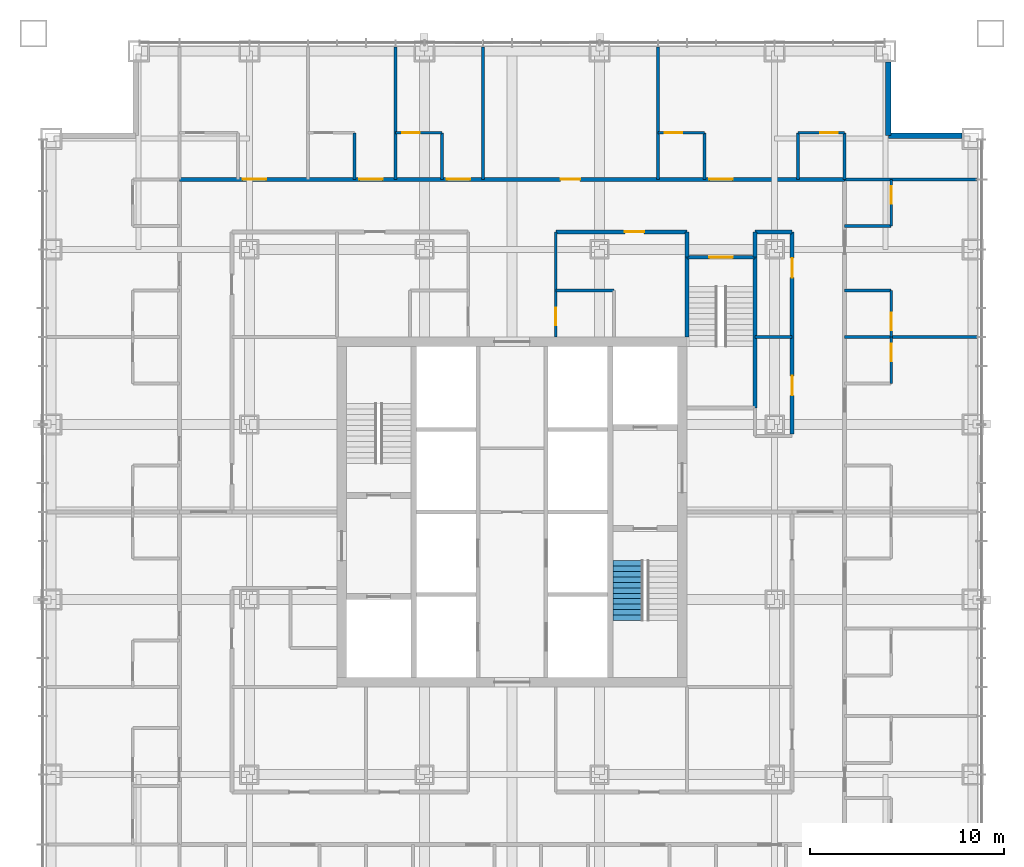
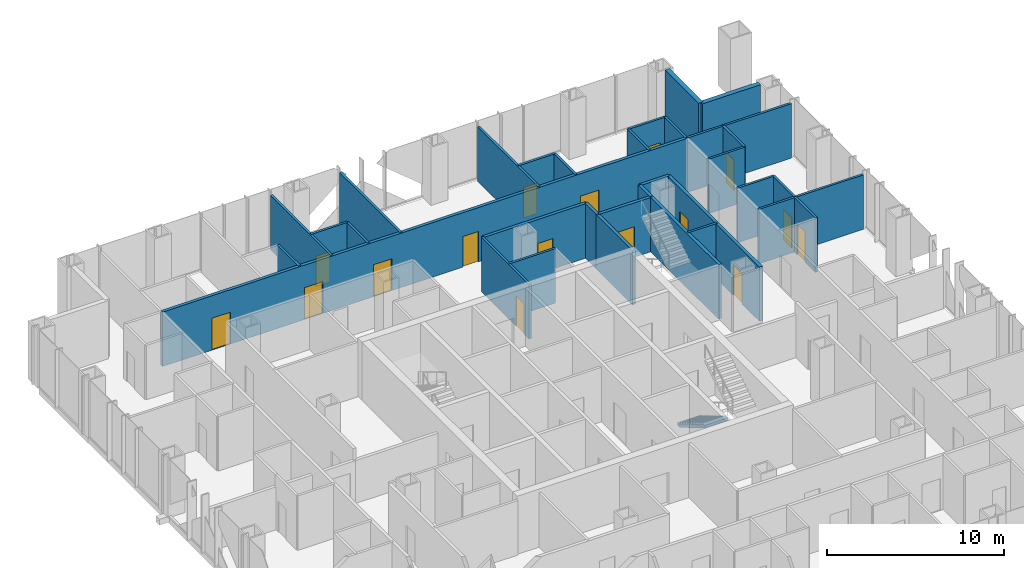
# One storey, part 12 of 16: 32 walls, 16 doors, 1 stair flight, 16 openings, 1 element without a shape of its own.
"""IFC4 building model written with IfcOpenShell, lengths in metres."""

from ifc_helpers import new_model, si_unit, direction, frame, frame_2d, origin, place, context, subcontext, project, spatial, polyline, rectangle, outline, extrude, material, layer, layer_set, type_object, element, fill, aggregate, save


model = new_model("IFC4")

# Units and contexts
model_context = context("Model", 3, precision=1e-05, world=origin(), true_north=direction((0.0, 1.0)))
body_context = subcontext(model_context, "Body", "Model", "MODEL_VIEW")
ifc_project = project(units=[si_unit("LENGTHUNIT", "METRE"), si_unit("AREAUNIT", "SQUARE_METRE"), si_unit("VOLUMEUNIT", "CUBIC_METRE"), si_unit("PLANEANGLEUNIT", "RADIAN"), si_unit("MASSUNIT", "GRAM", prefix="KILO")], contexts=[model_context])

# Site, building, storey
site_placement = place(None, origin())
site = spatial("IfcSite", under=ifc_project, at=site_placement, CompositionType="ELEMENT")
building_placement = place(site_placement, origin())
building = spatial("IfcBuilding", under=site, at=building_placement, Name="Malebo Sky Hospital", CompositionType="ELEMENT")
storey_placement = place(building_placement, frame((0.0, 0.0, 116.0)))
storey = spatial("IfcBuildingStorey", under=building, at=storey_placement, Name="L27", CompositionType="ELEMENT", Elevation=116.0)

# Wall, openings, doors
ifc_material_1 = material(Name="Gypsum board on steel studs", Category="steel")
ifc_layer_1 = layer(ifc_material_1, 0.199951171875)
ifc_layer_set_1 = layer_set([ifc_layer_1], Name="CORRIDOR WALL 200")
wall_type_1 = type_object("IfcWallType", Name="CORRIDOR WALL 200", PredefinedType="PARTITIONING", material=ifc_layer_set_1)
wall_1_placement = place(storey_placement, frame((42.89990234375, 79.10009765625, 0.0), z_axis=(0.0, 0.0, 1.0), x_axis=(1.0, 0.0, 0.0)))
wall_1 = element("IfcWall", 1, at=wall_1_placement, inside=storey, type_object=wall_type_1, Name="Corridor Wall 200 NCO", PredefinedType="PARTITIONING", context=body_context, shape_type="SweptSolid", body=[
    extrude(rectangle(XDim=34.2001953125, YDim=0.199951171875, at=frame_2d((17.10009765625, 0.0))), origin(), (0.0, 0.0, 1.0), 3.75),
])
opening_1_placement = place(wall_1_placement, frame((3.25, 0.0, 0.0)))
opening_1 = element("IfcOpeningElement", 2, at=opening_1_placement, cuts=wall_1, Name="Opening D01", PredefinedType="OPENING", context=body_context, shape_type="SweptSolid", body=[
    extrude(rectangle(XDim=1.199951171875, YDim=2.199951171875, at=frame_2d((0.60009765625, 1.10009765625))), frame((0.0, 0.10986328125, 0.0), z_axis=(0.0, -1.0, 0.0), x_axis=(1.0, 0.0, 0.0)), (0.0, 0.0, 1.0), 0.219970703125),
])
opening_2_placement = place(wall_1_placement, frame((9.25, 0.0, 0.0)))
opening_2 = element("IfcOpeningElement", 3, at=opening_2_placement, cuts=wall_1, Name="Opening D01", PredefinedType="OPENING", context=body_context, shape_type="SweptSolid", body=[
    extrude(rectangle(XDim=1.199951171875, YDim=2.199951171875, at=frame_2d((0.60009765625, 1.10009765625))), frame((0.0, 0.10986328125, 0.0), z_axis=(0.0, -1.0, 0.0), x_axis=(1.0, 0.0, 0.0)), (0.0, 0.0, 1.0), 0.219970703125),
])
opening_3_placement = place(wall_1_placement, frame((13.75, 0.0, 0.0)))
opening_3 = element("IfcOpeningElement", 4, at=opening_3_placement, cuts=wall_1, Name="Opening D01", PredefinedType="OPENING", context=body_context, shape_type="SweptSolid", body=[
    extrude(rectangle(XDim=1.199951171875, YDim=2.199951171875, at=frame_2d((0.60009765625, 1.10009765625))), frame((0.0, 0.10986328125, 0.0), z_axis=(0.0, -1.0, 0.0), x_axis=(1.0, 0.0, 0.0)), (0.0, 0.0, 1.0), 0.219970703125),
])
opening_4_placement = place(wall_1_placement, frame((19.60009765625, 0.0, 0.0)))
opening_4 = element("IfcOpeningElement", 5, at=opening_4_placement, cuts=wall_1, Name="Opening D03", PredefinedType="OPENING", context=body_context, shape_type="SweptSolid", body=[
    extrude(rectangle(XDim=1.0, YDim=2.10009765625, at=frame_2d((0.5, 1.050048828125))), frame((0.0, 0.10986328125, 0.0), z_axis=(0.0, -1.0, 0.0), x_axis=(1.0, 0.0, 0.0)), (0.0, 0.0, 1.0), 0.219970703125),
])
opening_5_placement = place(wall_1_placement, frame((27.25, 0.0, 0.0)))
opening_5 = element("IfcOpeningElement", 6, at=opening_5_placement, cuts=wall_1, Name="Opening D01", PredefinedType="OPENING", context=body_context, shape_type="SweptSolid", body=[
    extrude(rectangle(XDim=1.199951171875, YDim=2.199951171875, at=frame_2d((0.60009765625, 1.10009765625))), frame((0.0, 0.10986328125, 0.0), z_axis=(0.0, -1.0, 0.0), x_axis=(1.0, 0.0, 0.0)), (0.0, 0.0, 1.0), 0.219970703125),
])
ifc_material_2 = material(Name="Hardwood-faced door leaf in steel frame", Category="steel")
door_type_1 = type_object("IfcDoorType", Name="BED DOOR 1200", OperationType="SINGLE_SWING_LEFT", PredefinedType="DOOR", material=ifc_material_2)
door_1_placement = place(opening_1_placement, origin())
door_1 = element("IfcDoor", 7, at=door_1_placement, inside=storey, type_object=door_type_1, Name="Two-bed room door", OperationType="SINGLE_SWING_LEFT", OverallHeight=2.199951171875, OverallWidth=1.199951171875, PredefinedType="DOOR", context=body_context, shape_type="SweptSolid", body=[
    extrude(rectangle(XDim=1.199951171875, YDim=2.199951171875, at=frame_2d((0.60009765625, 1.10009765625))), frame((0.0, 0.02490234375, 0.0), z_axis=(0.0, -1.0, 0.0), x_axis=(1.0, 0.0, 0.0)), (0.0, 0.0, 1.0), 0.050048828125),
])
fill(opening_1, door_1)
door_2_placement = place(opening_2_placement, origin())
door_2 = element("IfcDoor", 8, at=door_2_placement, inside=storey, type_object=door_type_1, Name="Single bed room door", OperationType="SINGLE_SWING_LEFT", OverallHeight=2.199951171875, OverallWidth=1.199951171875, PredefinedType="DOOR", context=body_context, shape_type="SweptSolid", body=[
    extrude(rectangle(XDim=1.199951171875, YDim=2.199951171875, at=frame_2d((0.60009765625, 1.10009765625))), frame((0.0, 0.02490234375, 0.0), z_axis=(0.0, -1.0, 0.0), x_axis=(1.0, 0.0, 0.0)), (0.0, 0.0, 1.0), 0.050048828125),
])
fill(opening_2, door_2)
door_3_placement = place(opening_3_placement, origin())
door_3 = element("IfcDoor", 9, at=door_3_placement, inside=storey, type_object=door_type_1, Name="Single bed room door", OperationType="SINGLE_SWING_LEFT", OverallHeight=2.199951171875, OverallWidth=1.199951171875, PredefinedType="DOOR", context=body_context, shape_type="SweptSolid", body=[
    extrude(rectangle(XDim=1.199951171875, YDim=2.199951171875, at=frame_2d((0.60009765625, 1.10009765625))), frame((0.0, 0.02490234375, 0.0), z_axis=(0.0, -1.0, 0.0), x_axis=(1.0, 0.0, 0.0)), (0.0, 0.0, 1.0), 0.050048828125),
])
fill(opening_3, door_3)
door_4_placement = place(opening_5_placement, origin())
door_4 = element("IfcDoor", 10, at=door_4_placement, inside=storey, type_object=door_type_1, Name="Four-bed bay door", OperationType="SINGLE_SWING_LEFT", OverallHeight=2.199951171875, OverallWidth=1.199951171875, PredefinedType="DOOR", context=body_context, shape_type="SweptSolid", body=[
    extrude(rectangle(XDim=1.199951171875, YDim=2.199951171875, at=frame_2d((0.60009765625, 1.10009765625))), frame((0.0, 0.02490234375, 0.0), z_axis=(0.0, -1.0, 0.0), x_axis=(1.0, 0.0, 0.0)), (0.0, 0.0, 1.0), 0.050048828125),
])
fill(opening_5, door_4)
door_type_2 = type_object("IfcDoorType", Name="ROOM DOOR 1000", OperationType="SINGLE_SWING_LEFT", PredefinedType="DOOR", material=ifc_material_2)
door_5_placement = place(opening_4_placement, origin())
door_5 = element("IfcDoor", 11, at=door_5_placement, inside=storey, type_object=door_type_2, Name="Patient day room door", OperationType="SINGLE_SWING_LEFT", OverallHeight=2.10009765625, OverallWidth=1.0, PredefinedType="DOOR", context=body_context, shape_type="SweptSolid", body=[
    extrude(rectangle(XDim=1.0, YDim=2.10009765625, at=frame_2d((0.5, 1.050048828125))), frame((0.0, 0.02490234375, 0.0), z_axis=(0.0, -1.0, 0.0), x_axis=(1.0, 0.0, 0.0)), (0.0, 0.0, 1.0), 0.050048828125),
])
fill(opening_4, door_5)

# Wall, opening, door
wall_2_placement = place(storey_placement, frame((62.25, 76.39990234375, 0.0), z_axis=(0.0, 0.0, 1.0), x_axis=(1.0, 0.0, 0.0)))
wall_2 = element("IfcWall", 12, at=wall_2_placement, inside=storey, type_object=wall_type_1, Name="Corridor Wall 200 NCI2", PredefinedType="PARTITIONING", context=body_context, shape_type="SweptSolid", body=[
    extrude(rectangle(XDim=6.75, YDim=0.199951171875, at=frame_2d((3.375, 0.0))), origin(), (0.0, 0.0, 1.0), 3.75),
])
opening_6_placement = place(wall_2_placement, frame((3.550048828125, 0.0, 0.0)))
opening_6 = element("IfcOpeningElement", 13, at=opening_6_placement, cuts=wall_2, Name="Opening D03", PredefinedType="OPENING", context=body_context, shape_type="SweptSolid", body=[
    extrude(rectangle(XDim=1.0, YDim=2.10009765625, at=frame_2d((0.5, 1.050048828125))), frame((0.0, 0.10986328125, 0.0), z_axis=(0.0, -1.0, 0.0), x_axis=(1.0, 0.0, 0.0)), (0.0, 0.0, 1.0), 0.219970703125),
])
door_6_placement = place(opening_6_placement, origin())
door_6 = element("IfcDoor", 14, at=door_6_placement, inside=storey, type_object=door_type_2, Name="Medication room door", OperationType="SINGLE_SWING_RIGHT", OverallHeight=2.10009765625, OverallWidth=1.0, PredefinedType="DOOR", context=body_context, shape_type="SweptSolid", body=[
    extrude(rectangle(XDim=1.0, YDim=2.10009765625, at=frame_2d((0.5, 1.050048828125))), frame((0.0, 0.02490234375, 0.0), z_axis=(0.0, -1.0, 0.0), x_axis=(1.0, 0.0, 0.0)), (0.0, 0.0, 1.0), 0.050048828125),
])
fill(opening_6, door_6)

# Wall
wall_3_placement = place(storey_placement, frame((72.5, 76.39990234375, 0.0), z_axis=(0.0, 0.0, 1.0), x_axis=(1.0, 0.0, 0.0)))
element("IfcWall", 15, at=wall_3_placement, inside=storey, type_object=wall_type_1, Name="Corridor Wall 200 NCI2/2", PredefinedType="PARTITIONING", context=body_context, shape_type="SweptSolid", body=[
    extrude(rectangle(XDim=1.89990234375, YDim=0.199951171875, at=frame_2d((0.949951171875, 0.0))), origin(), (0.0, 0.0, 1.0), 3.75),
])

# Wall, openings, doors
wall_4_placement = place(storey_placement, frame((74.39990234375, 76.39990234375, 0.0), z_axis=(0.0, 0.0, 1.0), x_axis=(0.0, -1.0, 0.0)))
wall_4 = element("IfcWall", 16, at=wall_4_placement, inside=storey, type_object=wall_type_1, Name="Corridor Wall 200 ECI1", PredefinedType="PARTITIONING", context=body_context, shape_type="SweptSolid", body=[
    extrude(rectangle(XDim=10.39990234375, YDim=0.199951171875, at=frame_2d((5.199951171875, 0.0))), origin(), (0.0, 0.0, 1.0), 3.75),
])
opening_7_placement = place(wall_4_placement, frame((1.35009765625, 0.0, 0.0)))
opening_7 = element("IfcOpeningElement", 17, at=opening_7_placement, cuts=wall_4, Name="Opening D03", PredefinedType="OPENING", context=body_context, shape_type="SweptSolid", body=[
    extrude(rectangle(XDim=1.0, YDim=2.10009765625, at=frame_2d((0.5, 1.050048828125))), frame((0.0, 0.10986328125, 0.0), z_axis=(0.0, -1.0, 0.0), x_axis=(1.0, 0.0, 0.0)), (0.0, 0.0, 1.0), 0.219970703125),
])
opening_8_placement = place(wall_4_placement, frame((7.39990234375, 0.0, 0.0)))
opening_8 = element("IfcOpeningElement", 18, at=opening_8_placement, cuts=wall_4, Name="Opening D03", PredefinedType="OPENING", context=body_context, shape_type="SweptSolid", body=[
    extrude(rectangle(XDim=1.0, YDim=2.10009765625, at=frame_2d((0.5, 1.050048828125))), frame((0.0, 0.10986328125, 0.0), z_axis=(0.0, -1.0, 0.0), x_axis=(1.0, 0.0, 0.0)), (0.0, 0.0, 1.0), 0.219970703125),
])
door_7_placement = place(opening_7_placement, origin())
door_7 = element("IfcDoor", 19, at=door_7_placement, inside=storey, type_object=door_type_2, Name="Treatment room door", OperationType="SINGLE_SWING_LEFT", OverallHeight=2.10009765625, OverallWidth=1.0, PredefinedType="DOOR", context=body_context, shape_type="SweptSolid", body=[
    extrude(rectangle(XDim=1.0, YDim=2.10009765625, at=frame_2d((0.5, 1.050048828125))), frame((0.0, 0.02490234375, 0.0), z_axis=(0.0, -1.0, 0.0), x_axis=(1.0, 0.0, 0.0)), (0.0, 0.0, 1.0), 0.050048828125),
])
fill(opening_7, door_7)
door_8_placement = place(opening_8_placement, origin())
door_8 = element("IfcDoor", 20, at=door_8_placement, inside=storey, type_object=door_type_2, Name="Equipment store door", OperationType="SINGLE_SWING_LEFT", OverallHeight=2.10009765625, OverallWidth=1.0, PredefinedType="DOOR", context=body_context, shape_type="SweptSolid", body=[
    extrude(rectangle(XDim=1.0, YDim=2.10009765625, at=frame_2d((0.5, 1.050048828125))), frame((0.0, 0.02490234375, 0.0), z_axis=(0.0, -1.0, 0.0), x_axis=(1.0, 0.0, 0.0)), (0.0, 0.0, 1.0), 0.050048828125),
])
fill(opening_8, door_8)

# Walls
for number, where, z_axis, x_axis, name in (
    (21, (69.0, 75.10009765625, 0.0), (0.0, 0.0, 1.0), (0.0, 1.0, 0.0), "Corridor Wall 200 ST3AW"),
    (22, (72.5, 75.10009765625, 0.0), (0.0, 0.0, 1.0), (0.0, 1.0, 0.0), "Corridor Wall 200 ST3AE"),
):
    element("IfcWall", number, at=place(storey_placement, frame(where, z_axis=z_axis, x_axis=x_axis)), inside=storey, type_object=wall_type_1, Name=name, PredefinedType="PARTITIONING", context=body_context, shape_type="SweptSolid", body=[
        extrude(rectangle(XDim=1.2998046875, YDim=0.199951171875, at=frame_2d((0.64990234375, 0.0))), origin(), (0.0, 0.0, 1.0), 3.75),
    ])
ifc_material_3 = material(Name="Anodised aluminium rainscreen on steel framing", Category="steel")
ifc_layer_2 = layer(ifc_material_3, 0.300048828125)
ifc_layer_set_2 = layer_set([ifc_layer_2], Name="NOTCH RAINSCREEN WALL 300")
wall_type_2 = type_object("IfcWallType", Name="NOTCH RAINSCREEN WALL 300", PredefinedType="ELEMENTEDWALL", material=ifc_layer_set_2)
for number, where, z_axis, x_axis, name in (
    (23, (79.35009765625, 85.14990234375, 0.0), (0.0, 0.0, 1.0), (0.0, -1.0, 0.0), "Notch rainscreen wall N1 L27"),
    (24, (79.35009765625, 81.35009765625, 0.0), (0.0, 0.0, 1.0), (1.0, 0.0, 0.0), "Notch rainscreen wall N2 L27"),
):
    element("IfcWall", number, at=place(storey_placement, frame(where, z_axis=z_axis, x_axis=x_axis)), inside=storey, type_object=wall_type_2, Name=name, PredefinedType="ELEMENTEDWALL", context=body_context, shape_type="SweptSolid", body=[
        extrude(rectangle(XDim=3.7998046875, YDim=0.300048828125, at=frame_2d((1.89990234375, 0.0))), origin(), (0.0, 0.0, 1.0), 4.0),
    ])
ifc_layer_3 = layer(ifc_material_1, 0.14990234375)
ifc_layer_set_3 = layer_set([ifc_layer_3], Name="PARTITION 150")
wall_type_3 = type_object("IfcWallType", Name="PARTITION 150", PredefinedType="PARTITIONING", material=ifc_layer_set_3)
for number, where, z_axis, x_axis, name in (
    (25, (54.0, 79.10009765625, 0.0), (0.0, 0.0, 1.0), (0.0, 1.0, 0.0), "Partition 150 NP-6.0"),
    (26, (58.5, 79.10009765625, 0.0), (0.0, 0.0, 1.0), (0.0, 1.0, 0.0), "Partition 150 NP-1.5"),
    (27, (67.5, 79.10009765625, 0.0), (0.0, 0.0, 1.0), (0.0, 1.0, 0.0), "Partition 150 NP+7.5"),
):
    element("IfcWall", number, at=place(storey_placement, frame(where, z_axis=z_axis, x_axis=x_axis)), inside=storey, type_object=wall_type_3, Name=name, PredefinedType="PARTITIONING", context=body_context, shape_type="SweptSolid", body=[
        extrude(rectangle(XDim=6.809814453125, YDim=0.14990234375, at=frame_2d((3.40478515625, 0.0))), origin(), (0.0, 0.0, 1.0), 3.75),
    ])
wall_5_placement = place(storey_placement, frame((51.89990234375, 79.10009765625, 0.0), z_axis=(0.0, 0.0, 1.0), x_axis=(0.0, 1.0, 0.0)))
element("IfcWall", 28, at=wall_5_placement, inside=storey, type_object=wall_type_3, Name="Partition 150 NE1S", PredefinedType="PARTITIONING", context=body_context, shape_type="SweptSolid", body=[
    extrude(rectangle(XDim=2.39990234375, YDim=0.14990234375, at=frame_2d((1.199951171875, 0.0))), origin(), (0.0, 0.0, 1.0), 3.75),
])

# Wall, opening, door
wall_6_placement = place(storey_placement, frame((54.0, 81.5, 0.0), z_axis=(0.0, 0.0, 1.0), x_axis=(1.0, 0.0, 0.0)))
wall_6 = element("IfcWall", 29, at=wall_6_placement, inside=storey, type_object=wall_type_3, Name="Partition 150 NE2F", PredefinedType="PARTITIONING", context=body_context, shape_type="SweptSolid", body=[
    extrude(rectangle(XDim=2.39990234375, YDim=0.14990234375, at=frame_2d((1.199951171875, 0.0))), origin(), (0.0, 0.0, 1.0), 3.75),
])
opening_9_placement = place(wall_6_placement, frame((0.35009765625, 0.0, 0.0)))
opening_9 = element("IfcOpeningElement", 30, at=opening_9_placement, cuts=wall_6, Name="Opening D02", PredefinedType="OPENING", context=body_context, shape_type="SweptSolid", body=[
    extrude(rectangle(XDim=0.89990234375, YDim=2.10009765625, at=frame_2d((0.449951171875, 1.050048828125))), frame((0.0, 0.0849609375, 0.0), z_axis=(0.0, -1.0, 0.0), x_axis=(1.0, 0.0, 0.0)), (0.0, 0.0, 1.0), 0.169921875),
])
door_type_3 = type_object("IfcDoorType", Name="EN-SUITE DOOR 900", OperationType="SINGLE_SWING_LEFT", PredefinedType="DOOR", material=ifc_material_2)
door_9_placement = place(opening_9_placement, origin())
door_9 = element("IfcDoor", 31, at=door_9_placement, inside=storey, type_object=door_type_3, Name="En-suite door", OperationType="SINGLE_SWING_LEFT", OverallHeight=2.10009765625, OverallWidth=0.89990234375, PredefinedType="DOOR", context=body_context, shape_type="SweptSolid", body=[
    extrude(rectangle(XDim=0.89990234375, YDim=2.10009765625, at=frame_2d((0.449951171875, 1.050048828125))), frame((0.0, 0.02490234375, 0.0), z_axis=(0.0, -1.0, 0.0), x_axis=(1.0, 0.0, 0.0)), (0.0, 0.0, 1.0), 0.050048828125),
])
fill(opening_9, door_9)

# Wall
wall_7_placement = place(storey_placement, frame((56.39990234375, 79.10009765625, 0.0), z_axis=(0.0, 0.0, 1.0), x_axis=(0.0, 1.0, 0.0)))
element("IfcWall", 32, at=wall_7_placement, inside=storey, type_object=wall_type_3, Name="Partition 150 NE2S", PredefinedType="PARTITIONING", context=body_context, shape_type="SweptSolid", body=[
    extrude(rectangle(XDim=2.39990234375, YDim=0.14990234375, at=frame_2d((1.199951171875, 0.0))), origin(), (0.0, 0.0, 1.0), 3.75),
])

# Wall, opening, door
wall_8_placement = place(storey_placement, frame((67.5, 81.5, 0.0), z_axis=(0.0, 0.0, 1.0), x_axis=(1.0, 0.0, 0.0)))
wall_8 = element("IfcWall", 33, at=wall_8_placement, inside=storey, type_object=wall_type_3, Name="Partition 150 NE4F", PredefinedType="PARTITIONING", context=body_context, shape_type="SweptSolid", body=[
    extrude(rectangle(XDim=2.39990234375, YDim=0.14990234375, at=frame_2d((1.199951171875, 0.0))), origin(), (0.0, 0.0, 1.0), 3.75),
])
opening_10_placement = place(wall_8_placement, frame((0.35009765625, 0.0, 0.0)))
opening_10 = element("IfcOpeningElement", 34, at=opening_10_placement, cuts=wall_8, Name="Opening D02", PredefinedType="OPENING", context=body_context, shape_type="SweptSolid", body=[
    extrude(rectangle(XDim=0.89990234375, YDim=2.10009765625, at=frame_2d((0.449951171875, 1.050048828125))), frame((0.0, 0.0849609375, 0.0), z_axis=(0.0, -1.0, 0.0), x_axis=(1.0, 0.0, 0.0)), (0.0, 0.0, 1.0), 0.169921875),
])
door_10_placement = place(opening_10_placement, origin())
door_10 = element("IfcDoor", 35, at=door_10_placement, inside=storey, type_object=door_type_3, Name="En-suite door", OperationType="SINGLE_SWING_LEFT", OverallHeight=2.10009765625, OverallWidth=0.89990234375, PredefinedType="DOOR", context=body_context, shape_type="SweptSolid", body=[
    extrude(rectangle(XDim=0.89990234375, YDim=2.10009765625, at=frame_2d((0.449951171875, 1.050048828125))), frame((0.0, 0.02490234375, 0.0), z_axis=(0.0, -1.0, 0.0), x_axis=(1.0, 0.0, 0.0)), (0.0, 0.0, 1.0), 0.050048828125),
])
fill(opening_10, door_10)

# Wall
wall_9_placement = place(storey_placement, frame((69.89990234375, 79.10009765625, 0.0), z_axis=(0.0, 0.0, 1.0), x_axis=(0.0, 1.0, 0.0)))
element("IfcWall", 36, at=wall_9_placement, inside=storey, type_object=wall_type_3, Name="Partition 150 NE4S", PredefinedType="PARTITIONING", context=body_context, shape_type="SweptSolid", body=[
    extrude(rectangle(XDim=2.39990234375, YDim=0.14990234375, at=frame_2d((1.199951171875, 0.0))), origin(), (0.0, 0.0, 1.0), 3.75),
])

# Wall, opening, door
wall_10_placement = place(storey_placement, frame((74.699951171875, 81.5, 0.0), z_axis=(0.0, 0.0, 1.0), x_axis=(1.0, 0.0, 0.0)))
wall_10 = element("IfcWall", 37, at=wall_10_placement, inside=storey, type_object=wall_type_3, Name="Partition 150 NG4F", PredefinedType="PARTITIONING", context=body_context, shape_type="SweptSolid", body=[
    extrude(rectangle(XDim=2.400146484375, YDim=0.14990234375, at=frame_2d((1.2001953125, 0.0))), origin(), (0.0, 0.0, 1.0), 3.75),
])
opening_11_placement = place(wall_10_placement, frame((1.14990234375, 0.0, 0.0)))
opening_11 = element("IfcOpeningElement", 38, at=opening_11_placement, cuts=wall_10, Name="Opening D02", PredefinedType="OPENING", context=body_context, shape_type="SweptSolid", body=[
    extrude(rectangle(XDim=0.89990234375, YDim=2.10009765625, at=frame_2d((0.449951171875, 1.050048828125))), frame((0.0, 0.0849609375, 0.0), z_axis=(0.0, -1.0, 0.0), x_axis=(1.0, 0.0, 0.0)), (0.0, 0.0, 1.0), 0.169921875),
])
door_11_placement = place(opening_11_placement, origin())
door_11 = element("IfcDoor", 39, at=door_11_placement, inside=storey, type_object=door_type_3, Name="En-suite door", OperationType="SINGLE_SWING_RIGHT", OverallHeight=2.10009765625, OverallWidth=0.89990234375, PredefinedType="DOOR", context=body_context, shape_type="SweptSolid", body=[
    extrude(rectangle(XDim=0.89990234375, YDim=2.10009765625, at=frame_2d((0.449951171875, 1.050048828125))), frame((0.0, 0.02490234375, 0.0), z_axis=(0.0, -1.0, 0.0), x_axis=(1.0, 0.0, 0.0)), (0.0, 0.0, 1.0), 0.050048828125),
])
fill(opening_11, door_11)

# Walls
for number, where, z_axis, x_axis, name in (
    (40, (74.699951171875, 79.10009765625, 0.0), (0.0, 0.0, 1.0), (0.0, 1.0, 0.0), "Partition 150 NG4S"),
    (41, (77.10009765625, 79.10009765625, 0.0), (0.0, 0.0, 1.0), (0.0, 1.0, 0.0), "Partition 150 NEZ"),
):
    element("IfcWall", number, at=place(storey_placement, frame(where, z_axis=z_axis, x_axis=x_axis)), inside=storey, type_object=wall_type_3, Name=name, PredefinedType="PARTITIONING", context=body_context, shape_type="SweptSolid", body=[
        extrude(rectangle(XDim=2.39990234375, YDim=0.14990234375, at=frame_2d((1.199951171875, 0.0))), origin(), (0.0, 0.0, 1.0), 3.75),
    ])

# Wall, opening, door
wall_11_placement = place(storey_placement, frame((62.25, 71.0, 0.0), z_axis=(0.0, 0.0, 1.0), x_axis=(0.0, 1.0, 0.0)))
wall_11 = element("IfcWall", 42, at=wall_11_placement, inside=storey, type_object=wall_type_3, Name="Partition 150 NSPB", PredefinedType="PARTITIONING", context=body_context, shape_type="SweptSolid", body=[
    extrude(rectangle(XDim=5.39990234375, YDim=0.14990234375, at=frame_2d((2.699951171875, 0.0))), origin(), (0.0, 0.0, 1.0), 3.75),
])
opening_12_placement = place(wall_11_placement, frame((0.60009765625, 0.0, 0.0)))
opening_12 = element("IfcOpeningElement", 43, at=opening_12_placement, cuts=wall_11, Name="Opening D04", PredefinedType="OPENING", context=body_context, shape_type="SweptSolid", body=[
    extrude(rectangle(XDim=0.89990234375, YDim=2.10009765625, at=frame_2d((0.449951171875, 1.050048828125))), frame((0.0, 0.0849609375, 0.0), z_axis=(0.0, -1.0, 0.0), x_axis=(1.0, 0.0, 0.0)), (0.0, 0.0, 1.0), 0.169921875),
])
door_type_4 = type_object("IfcDoorType", Name="ROOM DOOR 900", OperationType="SINGLE_SWING_LEFT", PredefinedType="DOOR", material=ifc_material_2)
door_12_placement = place(opening_12_placement, origin())
door_12 = element("IfcDoor", 44, at=door_12_placement, inside=storey, type_object=door_type_4, Name="Accessible WC door", OperationType="SINGLE_SWING_LEFT", OverallHeight=2.10009765625, OverallWidth=0.89990234375, PredefinedType="DOOR", context=body_context, shape_type="SweptSolid", body=[
    extrude(rectangle(XDim=0.89990234375, YDim=2.10009765625, at=frame_2d((0.449951171875, 1.050048828125))), frame((0.0, 0.02490234375, 0.0), z_axis=(0.0, -1.0, 0.0), x_axis=(1.0, 0.0, 0.0)), (0.0, 0.0, 1.0), 0.050048828125),
])
fill(opening_12, door_12)

# Walls
wall_12_placement = place(storey_placement, frame((62.25, 73.39990234375, 0.0), z_axis=(0.0, 0.0, 1.0), x_axis=(1.0, 0.0, 0.0)))
element("IfcWall", 45, at=wall_12_placement, inside=storey, type_object=wall_type_3, Name="Partition 150 NSX1", PredefinedType="PARTITIONING", context=body_context, shape_type="SweptSolid", body=[
    extrude(rectangle(XDim=3.0, YDim=0.14990234375, at=frame_2d((1.5, 0.0))), origin(), (0.0, 0.0, 1.0), 3.75),
])
for number, where, z_axis, x_axis, name in (
    (46, (77.10009765625, 71.0, 0.0), (0.0, 0.0, 1.0), (1.0, 0.0, 0.0), "Partition 150 EP-9.0"),
    (47, (77.10009765625, 79.10009765625, 0.0), (0.0, 0.0, 1.0), (1.0, 0.0, 0.0), "Partition 150 EP0"),
):
    element("IfcWall", number, at=place(storey_placement, frame(where, z_axis=z_axis, x_axis=x_axis)), inside=storey, type_object=wall_type_3, Name=name, PredefinedType="PARTITIONING", context=body_context, shape_type="SweptSolid", body=[
        extrude(rectangle(XDim=6.809814453125, YDim=0.14990234375, at=frame_2d((3.40478515625, 0.0))), origin(), (0.0, 0.0, 1.0), 3.75),
    ])

# Wall, opening, door
wall_13_placement = place(storey_placement, frame((79.5, 79.10009765625, 0.0), z_axis=(0.0, 0.0, 1.0), x_axis=(0.0, -1.0, 0.0)))
wall_13 = element("IfcWall", 48, at=wall_13_placement, inside=storey, type_object=wall_type_3, Name="Partition 150 EE0F", PredefinedType="PARTITIONING", context=body_context, shape_type="SweptSolid", body=[
    extrude(rectangle(XDim=2.400146484375, YDim=0.14990234375, at=frame_2d((1.2001953125, 0.0))), origin(), (0.0, 0.0, 1.0), 3.75),
])
opening_13_placement = place(wall_13_placement, frame((0.35009765625, 0.0, 0.0)))
opening_13 = element("IfcOpeningElement", 49, at=opening_13_placement, cuts=wall_13, Name="Opening D02", PredefinedType="OPENING", context=body_context, shape_type="SweptSolid", body=[
    extrude(rectangle(XDim=0.89990234375, YDim=2.10009765625, at=frame_2d((0.449951171875, 1.050048828125))), frame((0.0, 0.0849609375, 0.0), z_axis=(0.0, -1.0, 0.0), x_axis=(1.0, 0.0, 0.0)), (0.0, 0.0, 1.0), 0.169921875),
])
door_13_placement = place(opening_13_placement, origin())
door_13 = element("IfcDoor", 50, at=door_13_placement, inside=storey, type_object=door_type_3, Name="En-suite door", OperationType="SINGLE_SWING_LEFT", OverallHeight=2.10009765625, OverallWidth=0.89990234375, PredefinedType="DOOR", context=body_context, shape_type="SweptSolid", body=[
    extrude(rectangle(XDim=0.89990234375, YDim=2.10009765625, at=frame_2d((0.449951171875, 1.050048828125))), frame((0.0, 0.02490234375, 0.0), z_axis=(0.0, -1.0, 0.0), x_axis=(1.0, 0.0, 0.0)), (0.0, 0.0, 1.0), 0.050048828125),
])
fill(opening_13, door_13)

# Wall
wall_14_placement = place(storey_placement, frame((77.10009765625, 76.699951171875, 0.0), z_axis=(0.0, 0.0, 1.0), x_axis=(1.0, 0.0, 0.0)))
element("IfcWall", 51, at=wall_14_placement, inside=storey, type_object=wall_type_3, Name="Partition 150 EE0S", PredefinedType="PARTITIONING", context=body_context, shape_type="SweptSolid", body=[
    extrude(rectangle(XDim=2.39990234375, YDim=0.14990234375, at=frame_2d((1.199951171875, 0.0))), origin(), (0.0, 0.0, 1.0), 3.75),
])

# Wall, opening, door
wall_15_placement = place(storey_placement, frame((79.5, 73.39990234375, 0.0), z_axis=(0.0, 0.0, 1.0), x_axis=(0.0, -1.0, 0.0)))
wall_15 = element("IfcWall", 52, at=wall_15_placement, inside=storey, type_object=wall_type_3, Name="Partition 150 EG0F", PredefinedType="PARTITIONING", context=body_context, shape_type="SweptSolid", body=[
    extrude(rectangle(XDim=2.39990234375, YDim=0.14990234375, at=frame_2d((1.199951171875, 0.0))), origin(), (0.0, 0.0, 1.0), 3.75),
])
opening_14_placement = place(wall_15_placement, frame((1.14990234375, 0.0, 0.0)))
opening_14 = element("IfcOpeningElement", 53, at=opening_14_placement, cuts=wall_15, Name="Opening D02", PredefinedType="OPENING", context=body_context, shape_type="SweptSolid", body=[
    extrude(rectangle(XDim=0.89990234375, YDim=2.10009765625, at=frame_2d((0.449951171875, 1.050048828125))), frame((0.0, 0.0849609375, 0.0), z_axis=(0.0, -1.0, 0.0), x_axis=(1.0, 0.0, 0.0)), (0.0, 0.0, 1.0), 0.169921875),
])
door_14_placement = place(opening_14_placement, origin())
door_14 = element("IfcDoor", 54, at=door_14_placement, inside=storey, type_object=door_type_3, Name="En-suite door", OperationType="SINGLE_SWING_RIGHT", OverallHeight=2.10009765625, OverallWidth=0.89990234375, PredefinedType="DOOR", context=body_context, shape_type="SweptSolid", body=[
    extrude(rectangle(XDim=0.89990234375, YDim=2.10009765625, at=frame_2d((0.449951171875, 1.050048828125))), frame((0.0, 0.02490234375, 0.0), z_axis=(0.0, -1.0, 0.0), x_axis=(1.0, 0.0, 0.0)), (0.0, 0.0, 1.0), 0.050048828125),
])
fill(opening_14, door_14)

# Wall
wall_16_placement = place(storey_placement, frame((77.10009765625, 73.39990234375, 0.0), z_axis=(0.0, 0.0, 1.0), x_axis=(1.0, 0.0, 0.0)))
element("IfcWall", 55, at=wall_16_placement, inside=storey, type_object=wall_type_3, Name="Partition 150 EG0S", PredefinedType="PARTITIONING", context=body_context, shape_type="SweptSolid", body=[
    extrude(rectangle(XDim=2.39990234375, YDim=0.14990234375, at=frame_2d((1.199951171875, 0.0))), origin(), (0.0, 0.0, 1.0), 3.75),
])

# Wall, opening, door
wall_17_placement = place(storey_placement, frame((79.5, 71.0, 0.0), z_axis=(0.0, 0.0, 1.0), x_axis=(0.0, -1.0, 0.0)))
wall_17 = element("IfcWall", 56, at=wall_17_placement, inside=storey, type_object=wall_type_3, Name="Partition 150 EE1F", PredefinedType="PARTITIONING", context=body_context, shape_type="SweptSolid", body=[
    extrude(rectangle(XDim=2.39990234375, YDim=0.14990234375, at=frame_2d((1.199951171875, 0.0))), origin(), (0.0, 0.0, 1.0), 3.75),
])
opening_15_placement = place(wall_17_placement, frame((0.35009765625, 0.0, 0.0)))
opening_15 = element("IfcOpeningElement", 57, at=opening_15_placement, cuts=wall_17, Name="Opening D02", PredefinedType="OPENING", context=body_context, shape_type="SweptSolid", body=[
    extrude(rectangle(XDim=0.89990234375, YDim=2.10009765625, at=frame_2d((0.449951171875, 1.050048828125))), frame((0.0, 0.0849609375, 0.0), z_axis=(0.0, -1.0, 0.0), x_axis=(1.0, 0.0, 0.0)), (0.0, 0.0, 1.0), 0.169921875),
])
door_15_placement = place(opening_15_placement, origin())
door_15 = element("IfcDoor", 58, at=door_15_placement, inside=storey, type_object=door_type_3, Name="En-suite door", OperationType="SINGLE_SWING_LEFT", OverallHeight=2.10009765625, OverallWidth=0.89990234375, PredefinedType="DOOR", context=body_context, shape_type="SweptSolid", body=[
    extrude(rectangle(XDim=0.89990234375, YDim=2.10009765625, at=frame_2d((0.449951171875, 1.050048828125))), frame((0.0, 0.02490234375, 0.0), z_axis=(0.0, -1.0, 0.0), x_axis=(1.0, 0.0, 0.0)), (0.0, 0.0, 1.0), 0.050048828125),
])
fill(opening_15, door_15)

# Walls
wall_18_placement = place(storey_placement, frame((72.5, 71.0, 0.0), z_axis=(0.0, 0.0, 1.0), x_axis=(1.0, 0.0, 0.0)))
element("IfcWall", 59, at=wall_18_placement, inside=storey, type_object=wall_type_3, Name="Partition 150 ESP0", PredefinedType="PARTITIONING", context=body_context, shape_type="SweptSolid", body=[
    extrude(rectangle(XDim=1.89990234375, YDim=0.14990234375, at=frame_2d((0.949951171875, 0.0))), origin(), (0.0, 0.0, 1.0), 3.75),
])
ifc_material_4 = material(Name="Concrete C40/50", Category="concrete")
ifc_layer_4 = layer(ifc_material_4, 0.199951171875)
ifc_layer_set_4 = layer_set([ifc_layer_4], Name="STAIR ENCLOSURE WALL 200")
wall_type_4 = type_object("IfcWallType", Name="STAIR ENCLOSURE WALL 200", PredefinedType="SOLIDWALL", material=ifc_layer_set_4)
wall_19_placement = place(storey_placement, frame((69.0, 71.0, 0.0), z_axis=(0.0, 0.0, 1.0), x_axis=(0.0, 1.0, 0.0)))
element("IfcWall", 60, at=wall_19_placement, inside=storey, type_object=wall_type_4, Name="Stair Enclosure Wall 200 ST3W", PredefinedType="SOLIDWALL", context=body_context, shape_type="SweptSolid", body=[
    extrude(rectangle(XDim=4.10009765625, YDim=0.199951171875, at=frame_2d((2.050048828125, 0.0))), origin(), (0.0, 0.0, 1.0), 3.75),
])
wall_20_placement = place(storey_placement, frame((72.5, 67.35009765625, 0.0), z_axis=(0.0, 0.0, 1.0), x_axis=(0.0, 1.0, 0.0)))
element("IfcWall", 61, at=wall_20_placement, inside=storey, type_object=wall_type_4, Name="Stair Enclosure Wall 200 ST3E", PredefinedType="SOLIDWALL", context=body_context, shape_type="SweptSolid", body=[
    extrude(rectangle(XDim=7.75, YDim=0.199951171875, at=frame_2d((3.875, 0.0))), origin(), (0.0, 0.0, 1.0), 3.75),
])

# Wall, opening, door
wall_21_placement = place(storey_placement, frame((69.0, 75.10009765625, 0.0), z_axis=(0.0, 0.0, 1.0), x_axis=(1.0, 0.0, 0.0)))
wall_21 = element("IfcWall", 62, at=wall_21_placement, inside=storey, type_object=wall_type_4, Name="Stair Enclosure Wall 200 ST3N", PredefinedType="SOLIDWALL", context=body_context, shape_type="SweptSolid", body=[
    extrude(rectangle(XDim=3.5, YDim=0.199951171875, at=frame_2d((1.75, 0.0))), origin(), (0.0, 0.0, 1.0), 3.75),
])
opening_16_placement = place(wall_21_placement, frame((1.14990234375, 0.0, 0.0)))
opening_16 = element("IfcOpeningElement", 63, at=opening_16_placement, cuts=wall_21, Name="Opening D08", PredefinedType="OPENING", context=body_context, shape_type="SweptSolid", body=[
    extrude(rectangle(XDim=1.199951171875, YDim=2.10009765625, at=frame_2d((0.60009765625, 1.050048828125))), frame((0.0, 0.10986328125, 0.0), z_axis=(0.0, -1.0, 0.0), x_axis=(1.0, 0.0, 0.0)), (0.0, 0.0, 1.0), 0.219970703125),
])
door_type_5 = type_object("IfcDoorType", Name="STAIR DOOR 1200", OperationType="SINGLE_SWING_LEFT", PredefinedType="DOOR", material=ifc_material_2)
door_16_placement = place(opening_16_placement, origin())
door_16 = element("IfcDoor", 64, at=door_16_placement, inside=storey, type_object=door_type_5, Name="Stair S3 door", OperationType="SINGLE_SWING_LEFT", OverallHeight=2.10009765625, OverallWidth=1.199951171875, PredefinedType="DOOR", context=body_context, shape_type="SweptSolid", body=[
    extrude(rectangle(XDim=1.199951171875, YDim=2.10009765625, at=frame_2d((0.60009765625, 1.050048828125))), frame((0.0, 0.02490234375, 0.0), z_axis=(0.0, -1.0, 0.0), x_axis=(1.0, 0.0, 0.0)), (0.0, 0.0, 1.0), 0.050048828125),
])
fill(opening_16, door_16)

# Stair, stair flight
stair_type = type_object("IfcStairType", Name="HALF-TURN STAIR 1500 R167", PredefinedType="HALF_TURN_STAIR", material=ifc_material_4)
stair_placement = place(storey_placement, origin())
stair = element("IfcStair", 65, at=stair_placement, inside=storey, type_object=stair_type, Name="Stair S2 L27 type ST1", PredefinedType="HALF_TURN_STAIR")
stair_flight_type = type_object("IfcStairFlightType", Name="STAIR FLIGHT 1500 R167", PredefinedType="STRAIGHT", material=ifc_material_4)
stair_flight_placement = place(storey_placement, frame((65.949951171875, 59.5, 0.0), z_axis=(0.0, 0.0, 1.0), x_axis=(0.0, -1.0, 0.0)))
stair_flight = element("IfcStairFlight", 66, at=stair_flight_placement, type_object=stair_flight_type, Name="S2 flight 1 type SF1", NumberOfRisers=12, NumberOfTreads=11, PredefinedType="STRAIGHT", RiserHeight=0.166666667, TreadLength=0.28, context=body_context, shape_type="SweptSolid", body=[
    extrude(outline(polyline([(0.0, 0.0), (0.0, 0.166748046875), (0.280029296875, 0.166748046875), (0.280029296875, 0.333251953125), (0.56005859375, 0.333251953125), (0.56005859375, 0.5), (0.840087890625, 0.5), (0.840087890625, 0.666748046875), (1.1201171875, 0.666748046875), (1.1201171875, 0.833251953125), (1.39990234375, 0.833251953125), (1.39990234375, 1.0), (1.679931640625, 1.0), (1.679931640625, 1.166748046875), (1.9599609375, 1.166748046875), (1.9599609375, 1.333251953125), (2.239990234375, 1.333251953125), (2.239990234375, 1.5), (2.52001953125, 1.5), (2.52001953125, 1.666748046875), (2.800048828125, 1.666748046875), (2.800048828125, 1.833251953125), (3.080078125, 1.833251953125), (3.080078125, 2.0), (3.080078125, 1.658935546875), (0.29296875, 0.0), (0.0, 0.0)])), frame((0.0, 0.75, 0.0), z_axis=(0.0, -1.0, 0.0), x_axis=(1.0, 0.0, 0.0)), (0.0, 0.0, 1.0), 1.5),
])
aggregate(stair, [stair_flight])

save(model, "model.ifc")
